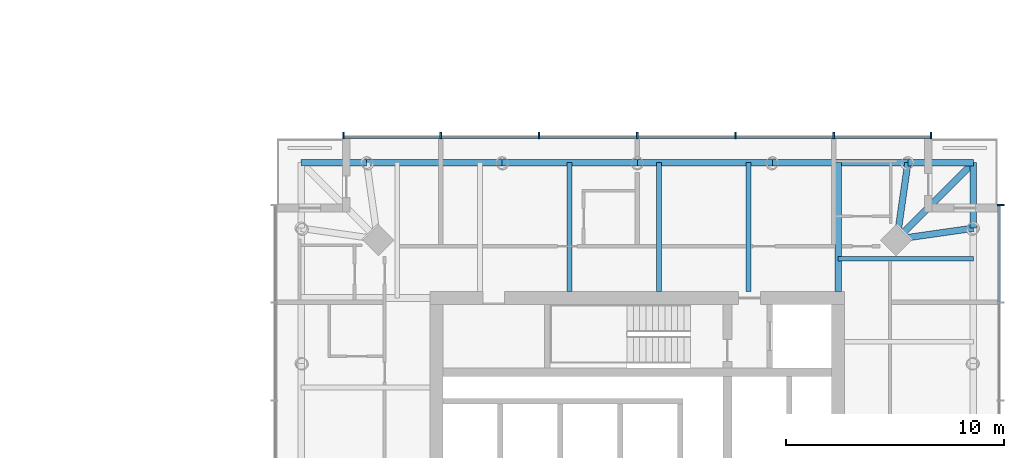
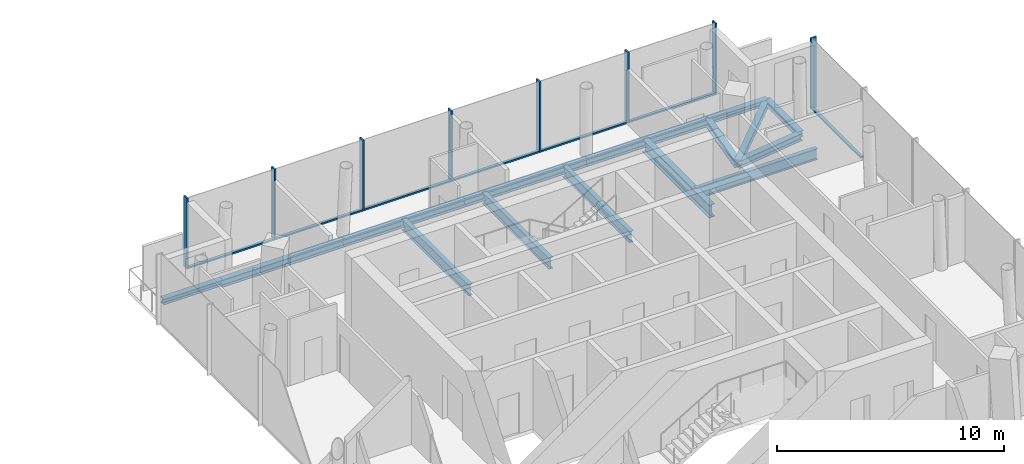
# One storey, part 5 of 18: 15 beams, 15 members, 2 elements without a shape of their own.
"""IFC4 building model written with IfcOpenShell, lengths in metres."""

from ifc_helpers import new_model, si_unit, direction, frame, origin, origin_2d, place, context, subcontext, project, spatial, rectangle, i_section, extrude, material, material_profile, profile_set, type_object, element, aggregate, save


model = new_model("IFC4")

# Units and contexts
model_context = context("Model", 3, precision=1e-05, world=origin(), true_north=direction((0.0, 1.0)))
body_context = subcontext(model_context, "Body", "Model", "MODEL_VIEW")
ifc_project = project(units=[si_unit("LENGTHUNIT", "METRE"), si_unit("AREAUNIT", "SQUARE_METRE"), si_unit("VOLUMEUNIT", "CUBIC_METRE"), si_unit("PLANEANGLEUNIT", "RADIAN"), si_unit("MASSUNIT", "GRAM", prefix="KILO")], contexts=[model_context])

# Site, building, storey
site_placement = place(None, origin())
site = spatial("IfcSite", under=ifc_project, at=site_placement, CompositionType="ELEMENT")
building_placement = place(site_placement, origin())
building = spatial("IfcBuilding", under=site, at=building_placement, Name="Ostroluk Exchange", CompositionType="ELEMENT")
storey_placement = place(building_placement, frame((0.0, 0.0, 104.60009765625)))
storey = spatial("IfcBuildingStorey", under=building, at=storey_placement, Name="L26", CompositionType="ELEMENT", Elevation=104.60009765625)

# Beams
ifc_material_1 = material(Name="Steel S355", Category="steel")
ifc_material_profile_1 = material_profile(ifc_material_1, i_section(OverallWidth=0.300048828125, OverallDepth=0.300048828125, WebThickness=0.010986328125, FlangeThickness=0.01904296875, FilletRadius=0.027099609375, at=origin_2d()), Name="HEB 300")
ifc_profile_set_1 = profile_set([ifc_material_profile_1], Name="Steel S355")
beam_type_1 = type_object("IfcBeamType", Name="Balcony beam HEB 300", PredefinedType="BEAM", material=ifc_profile_set_1)
for number, where, z_axis, x_axis, name in (
    (1, (132.396484375, 58.396484375, -0.35009765625), (0.0, 1.0, 0.0), (-1.0, 0.0, 0.0), "T2 east balcony beam a"),
    (2, (129.396484375, 61.396484375, -0.35009765625), (1.0, 0.0, 0.0), (0.0, 1.0, 0.0), "T2 east balcony beam b"),
):
    element("IfcBeam", number, at=place(storey_placement, frame(where, z_axis=z_axis, x_axis=x_axis)), inside=storey, type_object=beam_type_1, Name=name, PredefinedType="BEAM", context=body_context, shape_type="SweptSolid", body=[
        extrude(i_section(OverallWidth=0.300048828125, OverallDepth=0.300048828125, WebThickness=0.010986328125, FlangeThickness=0.01904296875, FilletRadius=0.027099609375, at=origin_2d()), origin(), (0.0, 0.0, 1.0), 3.0),
    ])
beam_1_placement = place(storey_placement, frame((128.896484375, 57.896484375, -0.35009765625), z_axis=(0.707106781187, 0.707106781187, 0.0), x_axis=(-0.707106781187, 0.707106781187, 0.0)))
element("IfcBeam", 3, at=beam_1_placement, inside=storey, type_object=beam_type_1, Name="T2 east balcony beam c", PredefinedType="BEAM", context=body_context, shape_type="SweptSolid", body=[
    extrude(i_section(OverallWidth=0.300048828125, OverallDepth=0.300048828125, WebThickness=0.010986328125, FlangeThickness=0.01904296875, FilletRadius=0.027099609375, at=origin_2d()), origin(), (0.0, 0.0, 1.0), 4.94970703125),
])
beam_2_placement = place(storey_placement, frame((104.603515625, 61.396484375, -0.35009765625), z_axis=(-1.0, 0.0, 0.0), x_axis=(0.0, -1.0, 0.0)))
element("IfcBeam", 4, at=beam_2_placement, inside=storey, type_object=beam_type_1, Name="T2 north balcony beam a", PredefinedType="BEAM", context=body_context, shape_type="SweptSolid", body=[
    extrude(i_section(OverallWidth=0.300048828125, OverallDepth=0.300048828125, WebThickness=0.010986328125, FlangeThickness=0.01904296875, FilletRadius=0.027099609375, at=origin_2d()), origin(), (0.0, 0.0, 1.0), 3.0),
])
ifc_material_2 = material(Name="Steel S355", Category="steel")
ifc_material_profile_2 = material_profile(ifc_material_2, i_section(OverallWidth=0.300048828125, OverallDepth=0.39990234375, WebThickness=0.013427734375, FlangeThickness=0.02392578125, FilletRadius=0.027099609375, at=origin_2d()), Name="HEB 400")
ifc_profile_set_2 = profile_set([ifc_material_profile_2], Name="Steel S355")
beam_type_2 = type_object("IfcBeamType", Name="Corner edge beam HEB 400", PredefinedType="SPANDREL", material=ifc_profile_set_2)
for number, where, z_axis, x_axis, name in (
    (5, (128.896484375, 57.896484375, -0.400146484375), (0.989949493661, 0.141421356237, 0.0), (-0.141421356237, 0.989949493661, 0.0), "T2 east corner edge beam a"),
    (6, (128.896484375, 57.896484375, -0.400146484375), (0.141421356237, 0.989949493661, 0.0), (-0.989949493661, 0.141421356237, 0.0), "T2 east corner edge beam b"),
):
    element("IfcBeam", number, at=place(storey_placement, frame(where, z_axis=z_axis, x_axis=x_axis)), inside=storey, type_object=beam_type_2, Name=name, PredefinedType="SPANDREL", context=body_context, shape_type="SweptSolid", body=[
        extrude(i_section(OverallWidth=0.300048828125, OverallDepth=0.39990234375, WebThickness=0.013427734375, FlangeThickness=0.02392578125, FilletRadius=0.027099609375, at=origin_2d()), origin(), (0.0, 0.0, 1.0), 3.53564453125),
    ])
ifc_material_3 = material(Name="Steel S355", Category="steel")
ifc_material_profile_3 = material_profile(ifc_material_3, i_section(OverallWidth=0.219970703125, OverallDepth=0.60009765625, WebThickness=0.011962890625, FlangeThickness=0.01904296875, FilletRadius=0.02392578125, at=origin_2d()), Name="IPE 600")
ifc_profile_set_3 = profile_set([ifc_material_profile_3], Name="Steel S355")
beam_type_3 = type_object("IfcBeamType", Name="Floor beam IPE 600", PredefinedType="BEAM", material=ifc_profile_set_3)
beam_3_placement = place(storey_placement, frame((126.199951171875, 56.99658203125, -0.5), z_axis=(1.0, 0.0, 0.0), x_axis=(0.0, 1.0, 0.0)))
element("IfcBeam", 7, at=beam_3_placement, inside=storey, type_object=beam_type_3, Name="T2 east floor beam 5", PredefinedType="BEAM", context=body_context, shape_type="SweptSolid", body=[
    extrude(i_section(OverallWidth=0.219970703125, OverallDepth=0.60009765625, WebThickness=0.011962890625, FlangeThickness=0.01904296875, FilletRadius=0.02392578125, at=origin_2d()), origin(), (0.0, 0.0, 1.0), 6.196533203125),
])
for number, where, z_axis, x_axis, name in (
    (8, (122.1005859375, 55.5, -0.5), (0.0, 1.0, 0.0), (-1.0, 0.0, 0.0), "T2 north floor beam 1"),
    (9, (118.001220703125, 55.5, -0.5), (0.0, 1.0, 0.0), (-1.0, 0.0, 0.0), "T2 north floor beam 2"),
    (10, (113.901611328125, 55.5, -0.5), (0.0, 1.0, 0.0), (-1.0, 0.0, 0.0), "T2 north floor beam 3"),
):
    element("IfcBeam", number, at=place(storey_placement, frame(where, z_axis=z_axis, x_axis=x_axis)), inside=storey, type_object=beam_type_3, Name=name, PredefinedType="BEAM", context=body_context, shape_type="SweptSolid", body=[
        extrude(i_section(OverallWidth=0.219970703125, OverallDepth=0.60009765625, WebThickness=0.011962890625, FlangeThickness=0.01904296875, FilletRadius=0.02392578125, at=origin_2d()), origin(), (0.0, 0.0, 1.0), 5.896484375),
    ])
ifc_material_4 = material(Name="Steel S355", Category="steel")
ifc_material_profile_4 = material_profile(ifc_material_4, i_section(OverallWidth=0.300048828125, OverallDepth=0.699951171875, WebThickness=0.01708984375, FlangeThickness=0.031982421875, FilletRadius=0.027099609375, at=origin_2d()), Name="HEB 700")
ifc_profile_set_4 = profile_set([ifc_material_profile_4], Name="Steel S355")
beam_type_4 = type_object("IfcBeamType", Name="Girder HEB 700", PredefinedType="BEAM", material=ifc_profile_set_4)
beam_4_placement = place(storey_placement, frame((126.199951171875, 55.5, -0.550048828125), z_axis=(0.0, 1.0, 0.0), x_axis=(-1.0, 0.0, 0.0)))
element("IfcBeam", 11, at=beam_4_placement, inside=storey, type_object=beam_type_4, Name="T2 east girder", PredefinedType="BEAM", context=body_context, shape_type="SweptSolid", body=[
    extrude(i_section(OverallWidth=0.300048828125, OverallDepth=0.699951171875, WebThickness=0.01708984375, FlangeThickness=0.031982421875, FilletRadius=0.027099609375, at=origin_2d()), origin(), (0.0, 0.0, 1.0), 5.896484375),
])
ifc_material_5 = material(Name="Steel S355", Category="steel")
ifc_material_profile_5 = material_profile(ifc_material_5, i_section(OverallWidth=0.300048828125, OverallDepth=0.39990234375, WebThickness=0.013427734375, FlangeThickness=0.02392578125, FilletRadius=0.027099609375, at=origin_2d()), Name="HEB 400")
ifc_profile_set_5 = profile_set([ifc_material_profile_5], Name="Steel S355")
beam_type_5 = type_object("IfcBeamType", Name="Moment-connected edge beam HEB 400", PredefinedType="SPANDREL", material=ifc_profile_set_5)
for number, where, z_axis, x_axis, name in (
    (12, (129.396484375, 61.396484375, -0.400146484375), (-1.0, 0.0, 0.0), (0.0, -1.0, 0.0), "T2 north edge beam 1"),
    (13, (123.1982421875, 61.396484375, -0.400146484375), (-1.0, 0.0, 0.0), (0.0, -1.0, 0.0), "T2 north edge beam 2"),
    (14, (117.0, 61.396484375, -0.400146484375), (-1.0, 0.0, 0.0), (0.0, -1.0, 0.0), "T2 north edge beam 3"),
    (15, (110.8017578125, 61.396484375, -0.400146484375), (-1.0, 0.0, 0.0), (0.0, -1.0, 0.0), "T2 north edge beam 4"),
):
    element("IfcBeam", number, at=place(storey_placement, frame(where, z_axis=z_axis, x_axis=x_axis)), inside=storey, type_object=beam_type_5, Name=name, PredefinedType="SPANDREL", context=body_context, shape_type="SweptSolid", body=[
        extrude(i_section(OverallWidth=0.300048828125, OverallDepth=0.39990234375, WebThickness=0.013427734375, FlangeThickness=0.02392578125, FilletRadius=0.027099609375, at=origin_2d()), origin(), (0.0, 0.0, 1.0), 6.1982421875),
    ])

# Curtain wall, member
ifc_material_6 = material(Name="Laminated clear glass", Category="glass")
curtain_wall_type = type_object("IfcCurtainWallType", Name="Hotel guest floor facade", PredefinedType="USERDEFINED", material=ifc_material_6)
curtain_wall_1_placement = place(storey_placement, origin())
curtain_wall_1 = element("IfcCurtainWall", 16, at=curtain_wall_1_placement, inside=storey, type_object=curtain_wall_type, Name="Hotel tower east facade L26", ObjectType="UNITISED CURTAIN WALL", PredefinedType="USERDEFINED")
ifc_material_7 = material(Name="Aluminium mullion", Category="aluminium")
ifc_material_profile_6 = material_profile(ifc_material_7, rectangle(XDim=0.14990234375, YDim=0.080078125, at=origin_2d()), Name="Sill transom 80 x 150")
ifc_profile_set_6 = profile_set([ifc_material_profile_6], Name="Aluminium mullion")
member_type_1 = type_object("IfcMemberType", Name="Sill transom 80 x 150", PredefinedType="USERDEFINED", material=ifc_profile_set_6)
member_1_placement = place(storey_placement, frame((133.574951171875, 55.0400390625, 0.039794921875), z_axis=(0.0, 1.0, 0.0), x_axis=(-1.0, 0.0, 0.0)))
member_1 = element("IfcMember", 17, at=member_1_placement, type_object=member_type_1, Name="CW-H1 transom 6.1", ObjectType="TRANSOM", PredefinedType="USERDEFINED", context=body_context, shape_type="SweptSolid", body=[
    extrude(rectangle(XDim=0.14990234375, YDim=0.080078125, at=origin_2d()), origin(), (0.0, 0.0, 1.0), 4.3798828125),
])

# Curtain wall, members
curtain_wall_2_placement = place(storey_placement, origin())
curtain_wall_2 = element("IfcCurtainWall", 18, at=curtain_wall_2_placement, inside=storey, type_object=curtain_wall_type, Name="Hotel tower north facade L26", ObjectType="UNITISED CURTAIN WALL", PredefinedType="USERDEFINED")
member_2_placement = place(storey_placement, frame((130.419921875, 62.574951171875, 0.039794921875), z_axis=(-1.0, 0.0, 0.0), x_axis=(0.0, -1.0, 0.0)))
member_2 = element("IfcMember", 19, at=member_2_placement, type_object=member_type_1, Name="CW-H1 transom 1.1", ObjectType="TRANSOM", PredefinedType="USERDEFINED", context=body_context, shape_type="SweptSolid", body=[
    extrude(rectangle(XDim=0.14990234375, YDim=0.080078125, at=origin_2d()), origin(), (0.0, 0.0, 1.0), 4.3798828125),
])
member_3_placement = place(storey_placement, frame((125.9599609375, 62.574951171875, 0.039794921875), z_axis=(-1.0, 0.0, 0.0), x_axis=(0.0, -1.0, 0.0)))
member_3 = element("IfcMember", 20, at=member_3_placement, type_object=member_type_1, Name="CW-H1 transom 2.1", ObjectType="TRANSOM", PredefinedType="USERDEFINED", context=body_context, shape_type="SweptSolid", body=[
    extrude(rectangle(XDim=0.14990234375, YDim=0.080078125, at=origin_2d()), origin(), (0.0, 0.0, 1.0), 4.419921875),
])
member_4_placement = place(storey_placement, frame((121.4599609375, 62.574951171875, 0.039794921875), z_axis=(-1.0, 0.0, 0.0), x_axis=(0.0, -1.0, 0.0)))
member_4 = element("IfcMember", 21, at=member_4_placement, type_object=member_type_1, Name="CW-H1 transom 3.1", ObjectType="TRANSOM", PredefinedType="USERDEFINED", context=body_context, shape_type="SweptSolid", body=[
    extrude(rectangle(XDim=0.14990234375, YDim=0.080078125, at=origin_2d()), origin(), (0.0, 0.0, 1.0), 4.419921875),
])
member_5_placement = place(storey_placement, frame((116.9599609375, 62.574951171875, 0.039794921875), z_axis=(-1.0, 0.0, 0.0), x_axis=(0.0, -1.0, 0.0)))
member_5 = element("IfcMember", 22, at=member_5_placement, type_object=member_type_1, Name="CW-H1 transom 4.1", ObjectType="TRANSOM", PredefinedType="USERDEFINED", context=body_context, shape_type="SweptSolid", body=[
    extrude(rectangle(XDim=0.14990234375, YDim=0.080078125, at=origin_2d()), origin(), (0.0, 0.0, 1.0), 4.419921875),
])
member_6_placement = place(storey_placement, frame((112.4599609375, 62.574951171875, 0.039794921875), z_axis=(-1.0, 0.0, 0.0), x_axis=(0.0, -1.0, 0.0)))
member_6 = element("IfcMember", 23, at=member_6_placement, type_object=member_type_1, Name="CW-H1 transom 5.1", ObjectType="TRANSOM", PredefinedType="USERDEFINED", context=body_context, shape_type="SweptSolid", body=[
    extrude(rectangle(XDim=0.14990234375, YDim=0.080078125, at=origin_2d()), origin(), (0.0, 0.0, 1.0), 4.419921875),
])
member_7_placement = place(storey_placement, frame((107.9599609375, 62.574951171875, 0.039794921875), z_axis=(-1.0, 0.0, 0.0), x_axis=(0.0, -1.0, 0.0)))
member_7 = element("IfcMember", 24, at=member_7_placement, type_object=member_type_1, Name="CW-H1 transom 6.1", ObjectType="TRANSOM", PredefinedType="USERDEFINED", context=body_context, shape_type="SweptSolid", body=[
    extrude(rectangle(XDim=0.14990234375, YDim=0.080078125, at=origin_2d()), origin(), (0.0, 0.0, 1.0), 4.3798828125),
])

# Member
ifc_material_8 = material(Name="Aluminium mullion with limestone facing", Category="masonry")
ifc_material_profile_7 = material_profile(ifc_material_8, rectangle(XDim=0.300048828125, YDim=0.080078125, at=origin_2d()), Name="Tracery mullion 80 x 300")
ifc_profile_set_7 = profile_set([ifc_material_profile_7], Name="Aluminium mullion with limestone facing")
member_type_2 = type_object("IfcMemberType", Name="Tracery mullion 80 x 300", PredefinedType="MULLION", material=ifc_profile_set_7)
member_8_placement = place(storey_placement, frame((133.64990234375, 59.4599609375, 0.0), z_axis=(0.0, 0.0, 1.0), x_axis=(-1.0, 0.0, 0.0)))
member_8 = element("IfcMember", 25, at=member_8_placement, type_object=member_type_2, Name="CW-H1 mullion 7", PredefinedType="MULLION", context=body_context, shape_type="SweptSolid", body=[
    extrude(rectangle(XDim=0.300048828125, YDim=0.080078125, at=origin_2d()), origin(), (0.0, 0.0, 1.0), 3.7998046875),
])

aggregate(curtain_wall_1, [member_8, member_1])

member_9_placement = place(storey_placement, frame((130.4599609375, 62.64990234375, 0.0), z_axis=(0.0, 0.0, 1.0), x_axis=(0.0, -1.0, 0.0)))
member_9 = element("IfcMember", 26, at=member_9_placement, type_object=member_type_2, Name="CW-H1 mullion 1", PredefinedType="MULLION", context=body_context, shape_type="SweptSolid", body=[
    extrude(rectangle(XDim=0.300048828125, YDim=0.080078125, at=origin_2d()), origin(), (0.0, 0.0, 1.0), 3.7998046875),
])

member_10_placement = place(storey_placement, frame((126.0, 62.64990234375, 0.0), z_axis=(0.0, 0.0, 1.0), x_axis=(0.0, -1.0, 0.0)))
member_10 = element("IfcMember", 27, at=member_10_placement, type_object=member_type_2, Name="CW-H1 mullion 2", PredefinedType="MULLION", context=body_context, shape_type="SweptSolid", body=[
    extrude(rectangle(XDim=0.300048828125, YDim=0.080078125, at=origin_2d()), origin(), (0.0, 0.0, 1.0), 3.7998046875),
])

member_11_placement = place(storey_placement, frame((121.5, 62.64990234375, 0.0), z_axis=(0.0, 0.0, 1.0), x_axis=(0.0, -1.0, 0.0)))
member_11 = element("IfcMember", 28, at=member_11_placement, type_object=member_type_2, Name="CW-H1 mullion 3", PredefinedType="MULLION", context=body_context, shape_type="SweptSolid", body=[
    extrude(rectangle(XDim=0.300048828125, YDim=0.080078125, at=origin_2d()), origin(), (0.0, 0.0, 1.0), 3.7998046875),
])

member_12_placement = place(storey_placement, frame((117.0, 62.64990234375, 0.0), z_axis=(0.0, 0.0, 1.0), x_axis=(0.0, -1.0, 0.0)))
member_12 = element("IfcMember", 29, at=member_12_placement, type_object=member_type_2, Name="CW-H1 mullion 4", PredefinedType="MULLION", context=body_context, shape_type="SweptSolid", body=[
    extrude(rectangle(XDim=0.300048828125, YDim=0.080078125, at=origin_2d()), origin(), (0.0, 0.0, 1.0), 3.7998046875),
])

member_13_placement = place(storey_placement, frame((112.5, 62.64990234375, 0.0), z_axis=(0.0, 0.0, 1.0), x_axis=(0.0, -1.0, 0.0)))
member_13 = element("IfcMember", 30, at=member_13_placement, type_object=member_type_2, Name="CW-H1 mullion 5", PredefinedType="MULLION", context=body_context, shape_type="SweptSolid", body=[
    extrude(rectangle(XDim=0.300048828125, YDim=0.080078125, at=origin_2d()), origin(), (0.0, 0.0, 1.0), 3.7998046875),
])

member_14_placement = place(storey_placement, frame((108.0, 62.64990234375, 0.0), z_axis=(0.0, 0.0, 1.0), x_axis=(0.0, -1.0, 0.0)))
member_14 = element("IfcMember", 31, at=member_14_placement, type_object=member_type_2, Name="CW-H1 mullion 6", PredefinedType="MULLION", context=body_context, shape_type="SweptSolid", body=[
    extrude(rectangle(XDim=0.300048828125, YDim=0.080078125, at=origin_2d()), origin(), (0.0, 0.0, 1.0), 3.7998046875),
])

member_15_placement = place(storey_placement, frame((103.5400390625, 62.64990234375, 0.0), z_axis=(0.0, 0.0, 1.0), x_axis=(0.0, -1.0, 0.0)))
member_15 = element("IfcMember", 32, at=member_15_placement, type_object=member_type_2, Name="CW-H1 mullion 7", PredefinedType="MULLION", context=body_context, shape_type="SweptSolid", body=[
    extrude(rectangle(XDim=0.300048828125, YDim=0.080078125, at=origin_2d()), origin(), (0.0, 0.0, 1.0), 3.7998046875),
])

aggregate(curtain_wall_2, [member_9, member_10, member_11, member_12, member_13, member_14, member_15, member_2, member_3, member_4, member_5, member_6, member_7])

save(model, "model.ifc")
